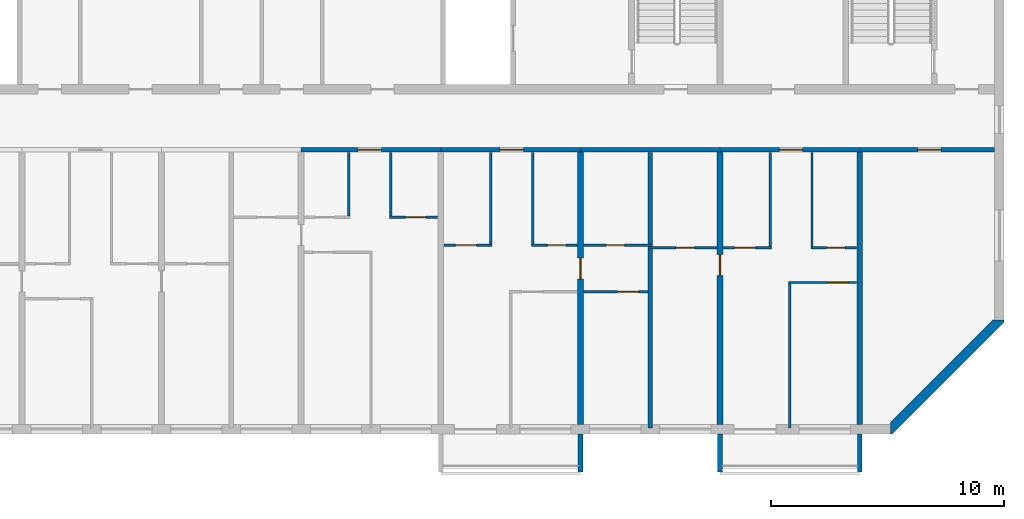
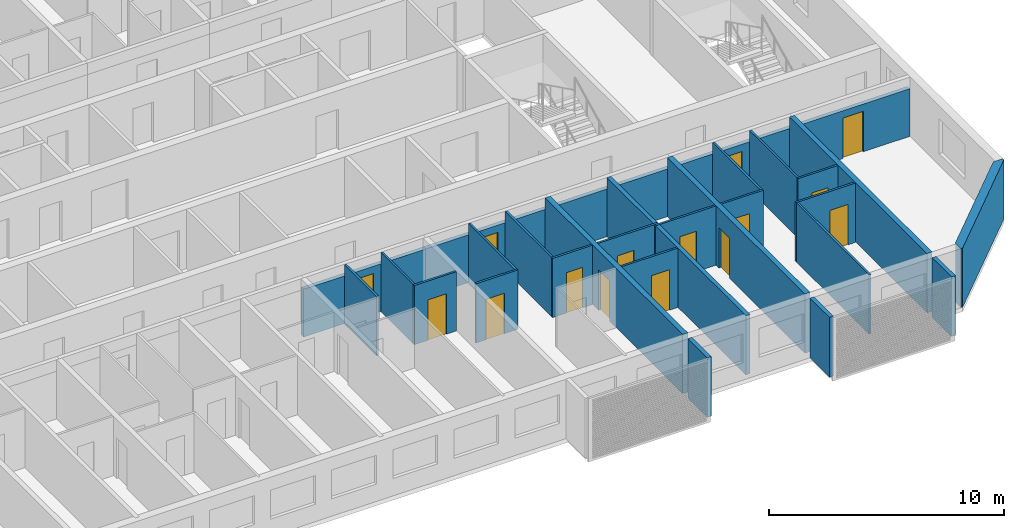
# One storey, part 5 of 28: 30 walls, 15 doors, 15 openings.
"""IFC4 building model written with IfcOpenShell, lengths in metres."""

from ifc_helpers import new_model, si_unit, direction, frame, frame_2d, origin, place, context, subcontext, project, spatial, polyline, rectangle, outline, extrude, source, transform, mapped, material, layer, layer_set, type_object, element, fill, save


model = new_model("IFC4")

# Units and contexts
model_context = context("Model", 3, precision=1e-05, world=origin(), true_north=direction((0.0, 1.0)))
body_context = subcontext(model_context, "Body", "Model", "MODEL_VIEW")
ifc_project = project(units=[si_unit("LENGTHUNIT", "METRE"), si_unit("AREAUNIT", "SQUARE_METRE"), si_unit("VOLUMEUNIT", "CUBIC_METRE"), si_unit("PLANEANGLEUNIT", "RADIAN"), si_unit("MASSUNIT", "GRAM", prefix="KILO")], contexts=[model_context])

# Site, building, storey
site_placement = place(None, origin())
site = spatial("IfcSite", under=ifc_project, at=site_placement, CompositionType="ELEMENT")
building_placement = place(site_placement, origin())
building = spatial("IfcBuilding", under=site, at=building_placement, Name="Poui Terraces", CompositionType="ELEMENT")
storey_placement = place(building_placement, frame((0.0, 0.0, 181.800048828125)))
storey = spatial("IfcBuildingStorey", under=building, at=storey_placement, Name="L50", CompositionType="ELEMENT", Elevation=181.800048828125)

# Wall, opening, door
ifc_material_1 = material(Name="Concrete 50 MPa", Category="concrete")
ifc_layer_1 = layer(ifc_material_1, 0.199951171875)
ifc_layer_set_1 = layer_set([ifc_layer_1], Name="Concrete 50 MPa")
wall_type_1 = type_object("IfcWallType", Name="CORRIDOR WALL 200 50MPa", PredefinedType="SHEAR", material=ifc_layer_set_1)
wall_1_placement = place(storey_placement, frame((54.0, 12.0, 0.0), z_axis=(0.0, 0.0, 1.0), x_axis=(1.0, 0.0, 0.0)))
wall_1 = element("IfcWall", 1, at=wall_1_placement, inside=storey, type_object=wall_type_1, Name="CORRIDOR WALL LINE B BAY 7", PredefinedType="SHEAR", context=body_context, shape_type="SweptSolid", body=[
    extrude(rectangle(XDim=6.0, YDim=0.199951171875, at=frame_2d((3.0, 0.0))), origin(), (0.0, 0.0, 1.0), 2.47998046875),
])
opening_1_placement = place(wall_1_placement, frame((2.449951171875, 0.0, 0.0)))
opening_1 = element("IfcOpeningElement", 2, at=opening_1_placement, cuts=wall_1, Name="Opening FD30S", PredefinedType="OPENING", context=body_context, shape_type="SweptSolid", body=[
    extrude(rectangle(XDim=1.0, YDim=2.10009765625, at=frame_2d((0.5, 1.050048828125))), frame((0.0, 0.10986328125, 0.0), z_axis=(0.0, -1.0, 0.0), x_axis=(1.0, 0.0, 0.0)), (0.0, 0.0, 1.0), 0.219970703125),
])
ifc_material_2 = material(Name="Steel fire door", Category="steel")
door_type_1 = type_object("IfcDoorType", Name="FLAT ENTRANCE DOOR 1000 X 2100", OperationType="NOTDEFINED", PredefinedType="DOOR", material=ifc_material_2)
door_1_placement = place(opening_1_placement, frame((1.0, 0.0, 0.0), z_axis=(0.0, 0.0, 1.0), x_axis=(-1.0, 0.0, 0.0)))
door_1 = element("IfcDoor", 3, at=door_1_placement, inside=storey, type_object=door_type_1, Name="FLAT ENTRANCE DOOR 086", OperationType="SINGLE_SWING_RIGHT", OverallHeight=2.10009765625, OverallWidth=1.0, PredefinedType="DOOR", context=body_context, shape_type="SweptSolid", body=[
    extrude(rectangle(XDim=1.0, YDim=2.10009765625, at=frame_2d((0.5, 1.050048828125))), frame((0.0, 0.02490234375, 0.0), z_axis=(0.0, -1.0, 0.0), x_axis=(1.0, 0.0, 0.0)), (0.0, 0.0, 1.0), 0.050048828125),
])
fill(opening_1, door_1)

wall_2_placement = place(storey_placement, frame((60.0, 12.0, 0.0), z_axis=(0.0, 0.0, 1.0), x_axis=(1.0, 0.0, 0.0)))
wall_2 = element("IfcWall", 4, at=wall_2_placement, inside=storey, type_object=wall_type_1, Name="CORRIDOR WALL LINE B BAY 8", PredefinedType="SHEAR", context=body_context, shape_type="SweptSolid", body=[
    extrude(rectangle(XDim=6.0, YDim=0.199951171875, at=frame_2d((3.0, 0.0))), origin(), (0.0, 0.0, 1.0), 2.47998046875),
])
opening_2_placement = place(wall_2_placement, frame((2.550048828125, 0.0, 0.0)))
opening_2 = element("IfcOpeningElement", 5, at=opening_2_placement, cuts=wall_2, Name="Opening FD30S", PredefinedType="OPENING", context=body_context, shape_type="SweptSolid", body=[
    extrude(rectangle(XDim=1.0, YDim=2.10009765625, at=frame_2d((0.5, 1.050048828125))), frame((0.0, 0.10986328125, 0.0), z_axis=(0.0, -1.0, 0.0), x_axis=(1.0, 0.0, 0.0)), (0.0, 0.0, 1.0), 0.219970703125),
])
door_2_placement = place(opening_2_placement, frame((1.0, 0.0, 0.0), z_axis=(0.0, 0.0, 1.0), x_axis=(-1.0, 0.0, 0.0)))
door_2 = element("IfcDoor", 6, at=door_2_placement, inside=storey, type_object=door_type_1, Name="FLAT ENTRANCE DOOR 091", OperationType="SINGLE_SWING_LEFT", OverallHeight=2.10009765625, OverallWidth=1.0, PredefinedType="DOOR", context=body_context, shape_type="SweptSolid", body=[
    extrude(rectangle(XDim=1.0, YDim=2.10009765625, at=frame_2d((0.5, 1.050048828125))), frame((0.0, 0.02490234375, 0.0), z_axis=(0.0, -1.0, 0.0), x_axis=(1.0, 0.0, 0.0)), (0.0, 0.0, 1.0), 0.050048828125),
])
fill(opening_2, door_2)

# Wall
wall_3_placement = place(storey_placement, frame((66.0, 12.0, 0.0), z_axis=(0.0, 0.0, 1.0), x_axis=(1.0, 0.0, 0.0)))
element("IfcWall", 7, at=wall_3_placement, inside=storey, type_object=wall_type_1, Name="CORRIDOR WALL LINE B BAY 9", PredefinedType="SHEAR", context=body_context, shape_type="SweptSolid", body=[
    extrude(rectangle(XDim=6.0, YDim=0.199951171875, at=frame_2d((3.0, 0.0))), origin(), (0.0, 0.0, 1.0), 2.47998046875),
])

# Wall, opening, door
wall_4_placement = place(storey_placement, frame((72.0, 12.0, 0.0), z_axis=(0.0, 0.0, 1.0), x_axis=(1.0, 0.0, 0.0)))
wall_4 = element("IfcWall", 8, at=wall_4_placement, inside=storey, type_object=wall_type_1, Name="CORRIDOR WALL LINE B BAY 10", PredefinedType="SHEAR", context=body_context, shape_type="SweptSolid", body=[
    extrude(rectangle(XDim=6.0, YDim=0.199951171875, at=frame_2d((3.0, 0.0))), origin(), (0.0, 0.0, 1.0), 2.47998046875),
])
opening_3_placement = place(wall_4_placement, frame((2.550048828125, 0.0, 0.0)))
opening_3 = element("IfcOpeningElement", 9, at=opening_3_placement, cuts=wall_4, Name="Opening FD30S", PredefinedType="OPENING", context=body_context, shape_type="SweptSolid", body=[
    extrude(rectangle(XDim=1.0, YDim=2.10009765625, at=frame_2d((0.5, 1.050048828125))), frame((0.0, 0.10986328125, 0.0), z_axis=(0.0, -1.0, 0.0), x_axis=(1.0, 0.0, 0.0)), (0.0, 0.0, 1.0), 0.219970703125),
])
door_3_placement = place(opening_3_placement, frame((1.0, 0.0, 0.0), z_axis=(0.0, 0.0, 1.0), x_axis=(-1.0, 0.0, 0.0)))
door_3 = element("IfcDoor", 10, at=door_3_placement, inside=storey, type_object=door_type_1, Name="FLAT ENTRANCE DOOR 098", OperationType="SINGLE_SWING_LEFT", OverallHeight=2.10009765625, OverallWidth=1.0, PredefinedType="DOOR", context=body_context, shape_type="SweptSolid", body=[
    extrude(rectangle(XDim=1.0, YDim=2.10009765625, at=frame_2d((0.5, 1.050048828125))), frame((0.0, 0.02490234375, 0.0), z_axis=(0.0, -1.0, 0.0), x_axis=(1.0, 0.0, 0.0)), (0.0, 0.0, 1.0), 0.050048828125),
])
fill(opening_3, door_3)

wall_5_placement = place(storey_placement, frame((78.0, 12.0, 0.0), z_axis=(0.0, 0.0, 1.0), x_axis=(1.0, 0.0, 0.0)))
wall_5 = element("IfcWall", 11, at=wall_5_placement, inside=storey, type_object=wall_type_1, Name="CORRIDOR WALL LINE B BAY 11", PredefinedType="SHEAR", context=body_context, shape_type="SweptSolid", body=[
    extrude(rectangle(XDim=5.800048828125, YDim=0.199951171875, at=frame_2d((2.89990234375, 0.0))), origin(), (0.0, 0.0, 1.0), 2.47998046875),
])
opening_4_placement = place(wall_5_placement, frame((2.5, 0.0, 0.0)))
opening_4 = element("IfcOpeningElement", 12, at=opening_4_placement, cuts=wall_5, Name="Opening D100", PredefinedType="OPENING", context=body_context, shape_type="SweptSolid", body=[
    extrude(rectangle(XDim=1.0, YDim=2.10009765625, at=frame_2d((0.5, 1.050048828125))), frame((0.0, 0.10986328125, 0.0), z_axis=(0.0, -1.0, 0.0), x_axis=(1.0, 0.0, 0.0)), (0.0, 0.0, 1.0), 0.219970703125),
])
ifc_material_3 = material(Name="Solid core timber door", Category="wood")
door_type_2 = type_object("IfcDoorType", Name="ACCESSIBLE INTERNAL DOOR 1000 X 2100", OperationType="NOTDEFINED", PredefinedType="DOOR", material=ifc_material_3)
door_4_placement = place(opening_4_placement, frame((1.0, 0.0, 0.0), z_axis=(0.0, 0.0, 1.0), x_axis=(-1.0, 0.0, 0.0)))
door_4 = element("IfcDoor", 13, at=door_4_placement, inside=storey, type_object=door_type_2, Name="ACCESSIBLE INTERNAL DOOR 101", OperationType="SINGLE_SWING_RIGHT", OverallHeight=2.10009765625, OverallWidth=1.0, PredefinedType="DOOR", context=body_context, shape_type="SweptSolid", body=[
    extrude(rectangle(XDim=1.0, YDim=2.10009765625, at=frame_2d((0.5, 1.050048828125))), frame((0.0, 0.02490234375, 0.0), z_axis=(0.0, -1.0, 0.0), x_axis=(1.0, 0.0, 0.0)), (0.0, 0.0, 1.0), 0.050048828125),
])
fill(opening_4, door_4)

ifc_layer_2 = layer(ifc_material_1, 0.25)
ifc_layer_set_2 = layer_set([ifc_layer_2], Name="Concrete 50 MPa")
wall_type_2 = type_object("IfcWallType", Name="CROSS WALL 250 50MPa", PredefinedType="SHEAR", material=ifc_layer_set_2)
wall_6_placement = place(storey_placement, frame((66.0, 0.199951171875, 0.0), z_axis=(0.0, 0.0, 1.0), x_axis=(0.0, 1.0, 0.0)))
wall_6 = element("IfcWall", 14, at=wall_6_placement, inside=storey, type_object=wall_type_2, Name="CROSS WALL LINE 12 SOUTH", PredefinedType="SHEAR", context=body_context, shape_type="SweptSolid", body=[
    extrude(rectangle(XDim=11.699951171875, YDim=0.25, at=frame_2d((5.85009765625, 0.0))), origin(), (0.0, 0.0, 1.0), 3.079833984375),
])
opening_5_placement = place(wall_6_placement, frame((6.25, 0.0, 0.0)))
opening_5 = element("IfcOpeningElement", 15, at=opening_5_placement, cuts=wall_6, Name="Opening D90", PredefinedType="OPENING", context=body_context, shape_type="SweptSolid", body=[
    extrude(rectangle(XDim=0.89990234375, YDim=2.10009765625, at=frame_2d((0.449951171875, 1.050048828125))), frame((0.0, 0.135009765625, 0.0), z_axis=(0.0, -1.0, 0.0), x_axis=(1.0, 0.0, 0.0)), (0.0, 0.0, 1.0), 0.27001953125),
])
door_type_3 = type_object("IfcDoorType", Name="INTERNAL DOOR 900 X 2100", OperationType="NOTDEFINED", PredefinedType="DOOR", material=ifc_material_3)
door_5_placement = place(opening_5_placement, origin())
door_5 = element("IfcDoor", 16, at=door_5_placement, inside=storey, type_object=door_type_3, Name="INTERNAL DOOR 094", OperationType="SINGLE_SWING_RIGHT", OverallHeight=2.10009765625, OverallWidth=0.89990234375, PredefinedType="DOOR", context=body_context, shape_type="SweptSolid", body=[
    extrude(rectangle(XDim=0.89990234375, YDim=2.10009765625, at=frame_2d((0.449951171875, 1.050048828125))), frame((0.0, 0.02490234375, 0.0), z_axis=(0.0, -1.0, 0.0), x_axis=(1.0, 0.0, 0.0)), (0.0, 0.0, 1.0), 0.050048828125),
])
fill(opening_5, door_5)

wall_7_placement = place(storey_placement, frame((72.0, 0.199951171875, 0.0), z_axis=(0.0, 0.0, 1.0), x_axis=(0.0, 1.0, 0.0)))
wall_7 = element("IfcWall", 17, at=wall_7_placement, inside=storey, type_object=wall_type_2, Name="CROSS WALL LINE 13 SOUTH", PredefinedType="SHEAR", context=body_context, shape_type="SweptSolid", body=[
    extrude(rectangle(XDim=11.699951171875, YDim=0.25, at=frame_2d((5.85009765625, 0.0))), origin(), (0.0, 0.0, 1.0), 3.079833984375),
])
opening_6_placement = place(wall_7_placement, frame((6.39990234375, 0.0, 0.0)))
opening_6 = element("IfcOpeningElement", 18, at=opening_6_placement, cuts=wall_7, Name="Opening D90", PredefinedType="OPENING", context=body_context, shape_type="SweptSolid", body=[
    extrude(rectangle(XDim=0.89990234375, YDim=2.10009765625, at=frame_2d((0.449951171875, 1.050048828125))), frame((0.0, 0.135009765625, 0.0), z_axis=(0.0, -1.0, 0.0), x_axis=(1.0, 0.0, 0.0)), (0.0, 0.0, 1.0), 0.27001953125),
])
door_6_placement = place(opening_6_placement, origin())
door_6 = element("IfcDoor", 19, at=door_6_placement, inside=storey, type_object=door_type_3, Name="INTERNAL DOOR 096", OperationType="SINGLE_SWING_RIGHT", OverallHeight=2.10009765625, OverallWidth=0.89990234375, PredefinedType="DOOR", context=body_context, shape_type="SweptSolid", body=[
    extrude(rectangle(XDim=0.89990234375, YDim=2.10009765625, at=frame_2d((0.449951171875, 1.050048828125))), frame((0.0, 0.02490234375, 0.0), z_axis=(0.0, -1.0, 0.0), x_axis=(1.0, 0.0, 0.0)), (0.0, 0.0, 1.0), 0.050048828125),
])
fill(opening_6, door_6)

# Wall
wall_8_placement = place(storey_placement, frame((78.0, 0.199951171875, 0.0), z_axis=(0.0, 0.0, 1.0), x_axis=(0.0, 1.0, 0.0)))
element("IfcWall", 20, at=wall_8_placement, inside=storey, type_object=wall_type_2, Name="CROSS WALL LINE 14 SOUTH", PredefinedType="SHEAR", context=body_context, shape_type="SweptSolid", body=[
    extrude(rectangle(XDim=11.699951171875, YDim=0.25, at=frame_2d((5.85009765625, 0.0))), origin(), (0.0, 0.0, 1.0), 3.079833984375),
])

# Wall, opening, door
ifc_material_4 = material(Name="Plasterboard partition")
ifc_layer_3 = layer(ifc_material_4, 0.10009765625)
ifc_layer_set_3 = layer_set([ifc_layer_3], Name="Plasterboard partition")
wall_type_3 = type_object("IfcWallType", Name="FLAT PARTITION 100", PredefinedType="PARTITIONING", material=ifc_layer_set_3)
wall_9_placement = place(storey_placement, frame((66.135009765625, 5.89990234375, 0.0), z_axis=(0.0, 0.0, 1.0), x_axis=(1.0, 0.0, 0.0)))
wall_9 = element("IfcWall", 21, at=wall_9_placement, inside=storey, type_object=wall_type_3, Name="FLAT PARTITION 100", PredefinedType="PARTITIONING", context=body_context, shape_type="SweptSolid", body=[
    extrude(rectangle(XDim=2.764892578125, YDim=0.10009765625, at=frame_2d((1.38232421875, 0.0))), origin(), (0.0, 0.0, 1.0), 3.079833984375),
])
opening_7_placement = place(wall_9_placement, frame((1.465087890625, 0.0, 0.0)))
opening_7 = element("IfcOpeningElement", 22, at=opening_7_placement, cuts=wall_9, Name="Opening D90", PredefinedType="OPENING", context=body_context, shape_type="SweptSolid", body=[
    extrude(rectangle(XDim=0.89990234375, YDim=2.10009765625, at=frame_2d((0.449951171875, 1.050048828125))), frame((0.0, 0.06005859375, 0.0), z_axis=(0.0, -1.0, 0.0), x_axis=(1.0, 0.0, 0.0)), (0.0, 0.0, 1.0), 0.1201171875),
])
door_7_placement = place(opening_7_placement, frame((0.89990234375, 0.0, 0.0), z_axis=(0.0, 0.0, 1.0), x_axis=(-1.0, 0.0, 0.0)))
door_7 = element("IfcDoor", 23, at=door_7_placement, inside=storey, type_object=door_type_3, Name="INTERNAL DOOR 089", OperationType="SINGLE_SWING_LEFT", OverallHeight=2.10009765625, OverallWidth=0.89990234375, PredefinedType="DOOR", context=body_context, shape_type="SweptSolid", body=[
    extrude(rectangle(XDim=0.89990234375, YDim=2.10009765625, at=frame_2d((0.449951171875, 1.050048828125))), frame((0.0, 0.02490234375, 0.0), z_axis=(0.0, -1.0, 0.0), x_axis=(1.0, 0.0, 0.0)), (0.0, 0.0, 1.0), 0.050048828125),
])
fill(opening_7, door_7)

wall_10_placement = place(storey_placement, frame((74.949951171875, 6.300048828125, 0.0), z_axis=(0.0, 0.0, 1.0), x_axis=(1.0, 0.0, 0.0)))
wall_10 = element("IfcWall", 24, at=wall_10_placement, inside=storey, type_object=wall_type_3, Name="FLAT PARTITION 100", PredefinedType="PARTITIONING", context=body_context, shape_type="SweptSolid", body=[
    extrude(rectangle(XDim=2.9150390625, YDim=0.10009765625, at=frame_2d((1.45751953125, 0.0))), origin(), (0.0, 0.0, 1.0), 3.079833984375),
])
opening_8_placement = place(wall_10_placement, frame((1.64990234375, 0.0, 0.0)))
opening_8 = element("IfcOpeningElement", 25, at=opening_8_placement, cuts=wall_10, Name="Opening D90", PredefinedType="OPENING", context=body_context, shape_type="SweptSolid", body=[
    extrude(rectangle(XDim=0.89990234375, YDim=2.10009765625, at=frame_2d((0.449951171875, 1.050048828125))), frame((0.0, 0.06005859375, 0.0), z_axis=(0.0, -1.0, 0.0), x_axis=(1.0, 0.0, 0.0)), (0.0, 0.0, 1.0), 0.1201171875),
])
door_8_placement = place(opening_8_placement, origin())
door_8 = element("IfcDoor", 26, at=door_8_placement, inside=storey, type_object=door_type_3, Name="INTERNAL DOOR 100", OperationType="SINGLE_SWING_LEFT", OverallHeight=2.10009765625, OverallWidth=0.89990234375, PredefinedType="DOOR", context=body_context, shape_type="SweptSolid", body=[
    extrude(rectangle(XDim=0.89990234375, YDim=2.10009765625, at=frame_2d((0.449951171875, 1.050048828125))), frame((0.0, 0.02490234375, 0.0), z_axis=(0.0, -1.0, 0.0), x_axis=(1.0, 0.0, 0.0)), (0.0, 0.0, 1.0), 0.050048828125),
])
fill(opening_8, door_8)

wall_11_placement = place(storey_placement, frame((68.89990234375, 7.800048828125, 0.0), z_axis=(0.0, 0.0, 1.0), x_axis=(1.0, 0.0, 0.0)))
wall_11 = element("IfcWall", 27, at=wall_11_placement, inside=storey, type_object=wall_type_3, Name="FLAT PARTITION 100", PredefinedType="PARTITIONING", context=body_context, shape_type="SweptSolid", body=[
    extrude(rectangle(XDim=2.965087890625, YDim=0.10009765625, at=frame_2d((1.482421875, 0.0))), origin(), (0.0, 0.0, 1.0), 3.079833984375),
])
opening_9_placement = place(wall_11_placement, frame((1.199951171875, 0.0, 0.0)))
opening_9 = element("IfcOpeningElement", 28, at=opening_9_placement, cuts=wall_11, Name="Opening D80", PredefinedType="OPENING", context=body_context, shape_type="SweptSolid", body=[
    extrude(rectangle(XDim=0.800048828125, YDim=2.10009765625, at=frame_2d((0.39990234375, 1.050048828125))), frame((0.0, 0.06005859375, 0.0), z_axis=(0.0, -1.0, 0.0), x_axis=(1.0, 0.0, 0.0)), (0.0, 0.0, 1.0), 0.1201171875),
])
door_type_4 = type_object("IfcDoorType", Name="BATHROOM, LAUNDRY AND STORE DOOR 800 X 2100", OperationType="NOTDEFINED", PredefinedType="DOOR", material=ifc_material_3)
door_9_placement = place(opening_9_placement, origin())
door_9 = element("IfcDoor", 29, at=door_9_placement, inside=storey, type_object=door_type_4, Name="BATHROOM, LAUNDRY AND STORE DOOR 095", OperationType="SINGLE_SWING_LEFT", OverallHeight=2.10009765625, OverallWidth=0.800048828125, PredefinedType="DOOR", context=body_context, shape_type="SweptSolid", body=[
    extrude(rectangle(XDim=0.800048828125, YDim=2.10009765625, at=frame_2d((0.39990234375, 1.050048828125))), frame((0.0, 0.02490234375, 0.0), z_axis=(0.0, -1.0, 0.0), x_axis=(1.0, 0.0, 0.0)), (0.0, 0.0, 1.0), 0.050048828125),
])
fill(opening_9, door_9)

wall_12_placement = place(storey_placement, frame((72.135009765625, 7.800048828125, 0.0), z_axis=(0.0, 0.0, 1.0), x_axis=(1.0, 0.0, 0.0)))
wall_12 = element("IfcWall", 30, at=wall_12_placement, inside=storey, type_object=wall_type_3, Name="FLAT PARTITION 100", PredefinedType="PARTITIONING", context=body_context, shape_type="SweptSolid", body=[
    extrude(rectangle(XDim=2.06494140625, YDim=0.10009765625, at=frame_2d((1.032470703125, 0.0))), origin(), (0.0, 0.0, 1.0), 3.079833984375),
])
opening_10_placement = place(wall_12_placement, frame((0.489990234375, 0.0, 0.0)))
opening_10 = element("IfcOpeningElement", 31, at=opening_10_placement, cuts=wall_12, Name="Opening D90", PredefinedType="OPENING", context=body_context, shape_type="SweptSolid", body=[
    extrude(rectangle(XDim=0.89990234375, YDim=2.10009765625, at=frame_2d((0.449951171875, 1.050048828125))), frame((0.0, 0.06005859375, 0.0), z_axis=(0.0, -1.0, 0.0), x_axis=(1.0, 0.0, 0.0)), (0.0, 0.0, 1.0), 0.1201171875),
])
door_10_placement = place(opening_10_placement, origin())
door_10 = element("IfcDoor", 32, at=door_10_placement, inside=storey, type_object=door_type_3, Name="INTERNAL DOOR 097", OperationType="SINGLE_SWING_LEFT", OverallHeight=2.10009765625, OverallWidth=0.89990234375, PredefinedType="DOOR", context=body_context, shape_type="SweptSolid", body=[
    extrude(rectangle(XDim=0.89990234375, YDim=2.10009765625, at=frame_2d((0.449951171875, 1.050048828125))), frame((0.0, 0.02490234375, 0.0), z_axis=(0.0, -1.0, 0.0), x_axis=(1.0, 0.0, 0.0)), (0.0, 0.0, 1.0), 0.050048828125),
])
fill(opening_10, door_10)

wall_13_placement = place(storey_placement, frame((75.89990234375, 7.800048828125, 0.0), z_axis=(0.0, 0.0, 1.0), x_axis=(1.0, 0.0, 0.0)))
wall_13 = element("IfcWall", 33, at=wall_13_placement, inside=storey, type_object=wall_type_3, Name="FLAT PARTITION 100", PredefinedType="PARTITIONING", context=body_context, shape_type="SweptSolid", body=[
    extrude(rectangle(XDim=1.965087890625, YDim=0.10009765625, at=frame_2d((0.982421875, 0.0))), origin(), (0.0, 0.0, 1.0), 3.079833984375),
])
opening_11_placement = place(wall_13_placement, frame((0.675048828125, 0.0, 0.0)))
opening_11 = element("IfcOpeningElement", 34, at=opening_11_placement, cuts=wall_13, Name="Opening D80", PredefinedType="OPENING", context=body_context, shape_type="SweptSolid", body=[
    extrude(rectangle(XDim=0.800048828125, YDim=2.10009765625, at=frame_2d((0.39990234375, 1.050048828125))), frame((0.0, 0.06005859375, 0.0), z_axis=(0.0, -1.0, 0.0), x_axis=(1.0, 0.0, 0.0)), (0.0, 0.0, 1.0), 0.1201171875),
])
door_11_placement = place(opening_11_placement, origin())
door_11 = element("IfcDoor", 35, at=door_11_placement, inside=storey, type_object=door_type_4, Name="BATHROOM, LAUNDRY AND STORE DOOR 099", OperationType="SINGLE_SWING_RIGHT", OverallHeight=2.10009765625, OverallWidth=0.800048828125, PredefinedType="DOOR", context=body_context, shape_type="SweptSolid", body=[
    extrude(rectangle(XDim=0.800048828125, YDim=2.10009765625, at=frame_2d((0.39990234375, 1.050048828125))), frame((0.0, 0.02490234375, 0.0), z_axis=(0.0, -1.0, 0.0), x_axis=(1.0, 0.0, 0.0)), (0.0, 0.0, 1.0), 0.050048828125),
])
fill(opening_11, door_11)

wall_14_placement = place(storey_placement, frame((60.135009765625, 7.89990234375, 0.0), z_axis=(0.0, 0.0, 1.0), x_axis=(1.0, 0.0, 0.0)))
wall_14 = element("IfcWall", 36, at=wall_14_placement, inside=storey, type_object=wall_type_3, Name="FLAT PARTITION 100", PredefinedType="PARTITIONING", context=body_context, shape_type="SweptSolid", body=[
    extrude(rectangle(XDim=2.06494140625, YDim=0.10009765625, at=frame_2d((1.032470703125, 0.0))), origin(), (0.0, 0.0, 1.0), 3.079833984375),
])
opening_12_placement = place(wall_14_placement, frame((0.489990234375, 0.0, 0.0)))
opening_12 = element("IfcOpeningElement", 37, at=opening_12_placement, cuts=wall_14, Name="Opening D90", PredefinedType="OPENING", context=body_context, shape_type="SweptSolid", body=[
    extrude(rectangle(XDim=0.89990234375, YDim=2.10009765625, at=frame_2d((0.449951171875, 1.050048828125))), frame((0.0, 0.06005859375, 0.0), z_axis=(0.0, -1.0, 0.0), x_axis=(1.0, 0.0, 0.0)), (0.0, 0.0, 1.0), 0.1201171875),
])
door_12_placement = place(opening_12_placement, origin())
door_12 = element("IfcDoor", 38, at=door_12_placement, inside=storey, type_object=door_type_3, Name="INTERNAL DOOR 090", OperationType="SINGLE_SWING_RIGHT", OverallHeight=2.10009765625, OverallWidth=0.89990234375, PredefinedType="DOOR", context=body_context, shape_type="SweptSolid", body=[
    extrude(rectangle(XDim=0.89990234375, YDim=2.10009765625, at=frame_2d((0.449951171875, 1.050048828125))), frame((0.0, 0.02490234375, 0.0), z_axis=(0.0, -1.0, 0.0), x_axis=(1.0, 0.0, 0.0)), (0.0, 0.0, 1.0), 0.050048828125),
])
fill(opening_12, door_12)

wall_15_placement = place(storey_placement, frame((63.89990234375, 7.89990234375, 0.0), z_axis=(0.0, 0.0, 1.0), x_axis=(1.0, 0.0, 0.0)))
wall_15 = element("IfcWall", 39, at=wall_15_placement, inside=storey, type_object=wall_type_3, Name="FLAT PARTITION 100", PredefinedType="PARTITIONING", context=body_context, shape_type="SweptSolid", body=[
    extrude(rectangle(XDim=1.965087890625, YDim=0.10009765625, at=frame_2d((0.982421875, 0.0))), origin(), (0.0, 0.0, 1.0), 3.079833984375),
])
opening_13_placement = place(wall_15_placement, frame((0.675048828125, 0.0, 0.0)))
opening_13 = element("IfcOpeningElement", 40, at=opening_13_placement, cuts=wall_15, Name="Opening D80", PredefinedType="OPENING", context=body_context, shape_type="SweptSolid", body=[
    extrude(rectangle(XDim=0.800048828125, YDim=2.10009765625, at=frame_2d((0.39990234375, 1.050048828125))), frame((0.0, 0.06005859375, 0.0), z_axis=(0.0, -1.0, 0.0), x_axis=(1.0, 0.0, 0.0)), (0.0, 0.0, 1.0), 0.1201171875),
])
door_13_placement = place(opening_13_placement, origin())
door_13 = element("IfcDoor", 41, at=door_13_placement, inside=storey, type_object=door_type_4, Name="BATHROOM, LAUNDRY AND STORE DOOR 093", OperationType="SINGLE_SWING_LEFT", OverallHeight=2.10009765625, OverallWidth=0.800048828125, PredefinedType="DOOR", context=body_context, shape_type="SweptSolid", body=[
    extrude(rectangle(XDim=0.800048828125, YDim=2.10009765625, at=frame_2d((0.39990234375, 1.050048828125))), frame((0.0, 0.02490234375, 0.0), z_axis=(0.0, -1.0, 0.0), x_axis=(1.0, 0.0, 0.0)), (0.0, 0.0, 1.0), 0.050048828125),
])
fill(opening_13, door_13)

wall_16_placement = place(storey_placement, frame((66.135009765625, 7.89990234375, 0.0), z_axis=(0.0, 0.0, 1.0), x_axis=(1.0, 0.0, 0.0)))
wall_16 = element("IfcWall", 42, at=wall_16_placement, inside=storey, type_object=wall_type_3, Name="FLAT PARTITION 100", PredefinedType="PARTITIONING", context=body_context, shape_type="SweptSolid", body=[
    extrude(rectangle(XDim=2.965087890625, YDim=0.10009765625, at=frame_2d((1.482421875, 0.0))), origin(), (0.0, 0.0, 1.0), 3.079833984375),
])
opening_14_placement = place(wall_16_placement, frame((0.965087890625, 0.0, 0.0)))
opening_14 = element("IfcOpeningElement", 43, at=opening_14_placement, cuts=wall_16, Name="Opening D80", PredefinedType="OPENING", context=body_context, shape_type="SweptSolid", body=[
    extrude(rectangle(XDim=0.800048828125, YDim=2.10009765625, at=frame_2d((0.39990234375, 1.050048828125))), frame((0.0, 0.06005859375, 0.0), z_axis=(0.0, -1.0, 0.0), x_axis=(1.0, 0.0, 0.0)), (0.0, 0.0, 1.0), 0.1201171875),
])
door_14_placement = place(opening_14_placement, origin())
door_14 = element("IfcDoor", 44, at=door_14_placement, inside=storey, type_object=door_type_4, Name="BATHROOM, LAUNDRY AND STORE DOOR 088", OperationType="SINGLE_SWING_LEFT", OverallHeight=2.10009765625, OverallWidth=0.800048828125, PredefinedType="DOOR", context=body_context, shape_type="SweptSolid", body=[
    extrude(rectangle(XDim=0.800048828125, YDim=2.10009765625, at=frame_2d((0.39990234375, 1.050048828125))), frame((0.0, 0.02490234375, 0.0), z_axis=(0.0, -1.0, 0.0), x_axis=(1.0, 0.0, 0.0)), (0.0, 0.0, 1.0), 0.050048828125),
])
fill(opening_14, door_14)

wall_17_placement = place(storey_placement, frame((57.800048828125, 9.10009765625, 0.0), z_axis=(0.0, 0.0, 1.0), x_axis=(1.0, 0.0, 0.0)))
wall_17 = element("IfcWall", 45, at=wall_17_placement, inside=storey, type_object=wall_type_3, Name="FLAT PARTITION 100", PredefinedType="PARTITIONING", context=body_context, shape_type="SweptSolid", body=[
    extrude(rectangle(XDim=2.06494140625, YDim=0.10009765625, at=frame_2d((1.032470703125, 0.0))), origin(), (0.0, 0.0, 1.0), 3.079833984375),
])
opening_15_placement = place(wall_17_placement, frame((0.675048828125, 0.0, 0.0)))
opening_15 = element("IfcOpeningElement", 46, at=opening_15_placement, cuts=wall_17, Name="Opening D90", PredefinedType="OPENING", context=body_context, shape_type="SweptSolid", body=[
    extrude(rectangle(XDim=0.89990234375, YDim=2.10009765625, at=frame_2d((0.449951171875, 1.050048828125))), frame((0.0, 0.06005859375, 0.0), z_axis=(0.0, -1.0, 0.0), x_axis=(1.0, 0.0, 0.0)), (0.0, 0.0, 1.0), 0.1201171875),
])
door_15_placement = place(opening_15_placement, origin())
door_15 = element("IfcDoor", 47, at=door_15_placement, inside=storey, type_object=door_type_3, Name="INTERNAL DOOR 087", OperationType="SINGLE_SWING_RIGHT", OverallHeight=2.10009765625, OverallWidth=0.89990234375, PredefinedType="DOOR", context=body_context, shape_type="SweptSolid", body=[
    extrude(rectangle(XDim=0.89990234375, YDim=2.10009765625, at=frame_2d((0.449951171875, 1.050048828125))), frame((0.0, 0.02490234375, 0.0), z_axis=(0.0, -1.0, 0.0), x_axis=(1.0, 0.0, 0.0)), (0.0, 0.0, 1.0), 0.050048828125),
])
fill(opening_15, door_15)

# Walls
for number, where, z_axis, x_axis, name in (
    (48, (56.050048828125, 9.14990234375, 0.0), (0.0, 0.0, 1.0), (0.0, 1.0, 0.0), "FLAT PARTITION 100"),
    (49, (57.85009765625, 9.14990234375, 0.0), (0.0, 0.0, 1.0), (0.0, 1.0, 0.0), "FLAT PARTITION 100"),
):
    element("IfcWall", number, at=place(storey_placement, frame(where, z_axis=z_axis, x_axis=x_axis)), inside=storey, type_object=wall_type_3, Name=name, PredefinedType="PARTITIONING", context=body_context, shape_type="SweptSolid", body=[
        extrude(rectangle(XDim=2.739990234375, YDim=0.10009765625, at=frame_2d((1.3701171875, 0.0))), origin(), (0.0, 0.0, 1.0), 3.079833984375),
    ])
for number, where, z_axis, x_axis, name in (
    (50, (62.14990234375, 7.949951171875, 0.0), (0.0, 0.0, 1.0), (0.0, 1.0, 0.0), "FLAT PARTITION 100"),
    (51, (63.949951171875, 7.949951171875, 0.0), (0.0, 0.0, 1.0), (0.0, 1.0, 0.0), "FLAT PARTITION 100"),
):
    element("IfcWall", number, at=place(storey_placement, frame(where, z_axis=z_axis, x_axis=x_axis)), inside=storey, type_object=wall_type_3, Name=name, PredefinedType="PARTITIONING", context=body_context, shape_type="SweptSolid", body=[
        extrude(rectangle(XDim=3.93994140625, YDim=0.10009765625, at=frame_2d((1.969970703125, 0.0))), origin(), (0.0, 0.0, 1.0), 3.079833984375),
    ])
wall_18_placement = place(storey_placement, frame((74.14990234375, 7.85009765625, 0.0), z_axis=(0.0, 0.0, 1.0), x_axis=(0.0, 1.0, 0.0)))
element("IfcWall", 52, at=wall_18_placement, inside=storey, type_object=wall_type_3, Name="FLAT PARTITION 100", PredefinedType="PARTITIONING", context=body_context, shape_type="SweptSolid", body=[
    extrude(rectangle(XDim=4.039794921875, YDim=0.10009765625, at=frame_2d((2.02001953125, 0.0))), origin(), (0.0, 0.0, 1.0), 3.079833984375),
])
wall_19_placement = place(storey_placement, frame((75.0, 0.06005859375, 0.0), z_axis=(0.0, 0.0, 1.0), x_axis=(0.0, 1.0, 0.0)))
element("IfcWall", 53, at=wall_19_placement, inside=storey, type_object=wall_type_3, Name="FLAT PARTITION 100", PredefinedType="PARTITIONING", context=body_context, shape_type="SweptSolid", body=[
    extrude(rectangle(XDim=6.18994140625, YDim=0.10009765625, at=frame_2d((3.094970703125, 0.0))), origin(), (0.0, 0.0, 1.0), 3.079833984375),
])
wall_20_placement = place(storey_placement, frame((75.949951171875, 7.85009765625, 0.0), z_axis=(0.0, 0.0, 1.0), x_axis=(0.0, 1.0, 0.0)))
element("IfcWall", 54, at=wall_20_placement, inside=storey, type_object=wall_type_3, Name="FLAT PARTITION 100", PredefinedType="PARTITIONING", context=body_context, shape_type="SweptSolid", body=[
    extrude(rectangle(XDim=4.039794921875, YDim=0.10009765625, at=frame_2d((2.02001953125, 0.0))), origin(), (0.0, 0.0, 1.0), 3.079833984375),
])
ifc_material_5 = material(Name="Fire-rated masonry wall", Category="masonry")
ifc_layer_4 = layer(ifc_material_5, 0.199951171875)
ifc_layer_set_4 = layer_set([ifc_layer_4], Name="Fire-rated masonry wall")
wall_type_4 = type_object("IfcWallType", Name="FLAT PARTY WALL 200", PredefinedType="PARTITIONING", material=ifc_layer_set_4)
wall_21_placement = place(storey_placement, frame((69.0, 0.06005859375, 0.0), z_axis=(0.0, 0.0, 1.0), x_axis=(0.0, 1.0, 0.0)))
element("IfcWall", 55, at=wall_21_placement, inside=storey, type_object=wall_type_4, Name="FLAT PARTY WALL 200", PredefinedType="PARTITIONING", context=body_context, shape_type="SweptSolid", body=[
    extrude(rectangle(XDim=7.68994140625, YDim=0.199951171875, at=frame_2d((3.844970703125, 0.0))), origin(), (0.0, 0.0, 1.0), 3.079833984375),
])
wall_22_placement = place(storey_placement, frame((69.0, 7.949951171875, 0.0), z_axis=(0.0, 0.0, 1.0), x_axis=(0.0, 1.0, 0.0)))
element("IfcWall", 56, at=wall_22_placement, inside=storey, type_object=wall_type_4, Name="FLAT PARTY WALL 200", PredefinedType="PARTITIONING", context=body_context, shape_type="SweptSolid", body=[
    extrude(rectangle(XDim=3.93994140625, YDim=0.199951171875, at=frame_2d((1.969970703125, 0.0))), origin(), (0.0, 0.0, 1.0), 3.079833984375),
])
ifc_material_6 = material(Name="Precast concrete 40 MPa", Category="concrete")
ifc_layer_5 = layer(ifc_material_6, 0.39990234375)
ifc_layer_set_5 = layer_set([ifc_layer_5], Name="Precast concrete 40 MPa")
wall_type_5 = type_object("IfcWallType", Name="TERRACOTTA CLAD CHAMFER WALL 400", PredefinedType="STANDARD", material=ifc_layer_set_5)
wall_23_placement = place(storey_placement, origin())
element("IfcWall", 57, at=wall_23_placement, inside=storey, type_object=wall_type_5, Name="CHAMFER WALL CH01", PredefinedType="STANDARD", context=body_context, shape_type="SweptSolid", body=[
    extrude(outline(polyline([(79.317138671875, -0.199951171875), (79.39990234375, -0.199951171875), (84.199951171875, 4.60009765625), (84.199951171875, 4.682861328125), (83.71728515625, 4.682861328125), (79.317138671875, 0.28271484375), (79.317138671875, -0.199951171875)])), origin(), (0.0, 0.0, 1.0), 3.079833984375),
])
ifc_layer_6 = layer(ifc_material_6, 0.199951171875)
ifc_layer_set_6 = layer_set([ifc_layer_6], Name="Precast concrete 40 MPa")
wall_type_6 = type_object("IfcWallType", Name="REAR FIN 200", PredefinedType="STANDARD", material=ifc_layer_set_6)
shared_shape = source(origin(), body_context, "Body", "SweptSolid", [
    extrude(outline(polyline([(0.0, 0.0), (0.2001953125, 0.0), (0.2001953125, 1.650146484375), (0.0, 1.650146484375), (0.0, 0.0)])), origin(), (0.0, 0.0, 1.0), 3.099853515625),
])
for number, where, name in (
    (58, (65.89990234375, -1.85009765625, 0.0), "REAR FIN"),
    (59, (71.89990234375, -1.85009765625, 0.0), "REAR FIN"),
    (60, (77.89990234375, -1.85009765625, 0.0), "REAR FIN"),
):
    element("IfcWall", number, at=place(storey_placement, frame(where)), inside=storey, type_object=wall_type_6, Name=name, PredefinedType="STANDARD", context=body_context, shape_type="MappedRepresentation", body=[
        mapped(shared_shape, transform((0.0, 0.0, 0.0))),
    ])

save(model, "model.ifc")
